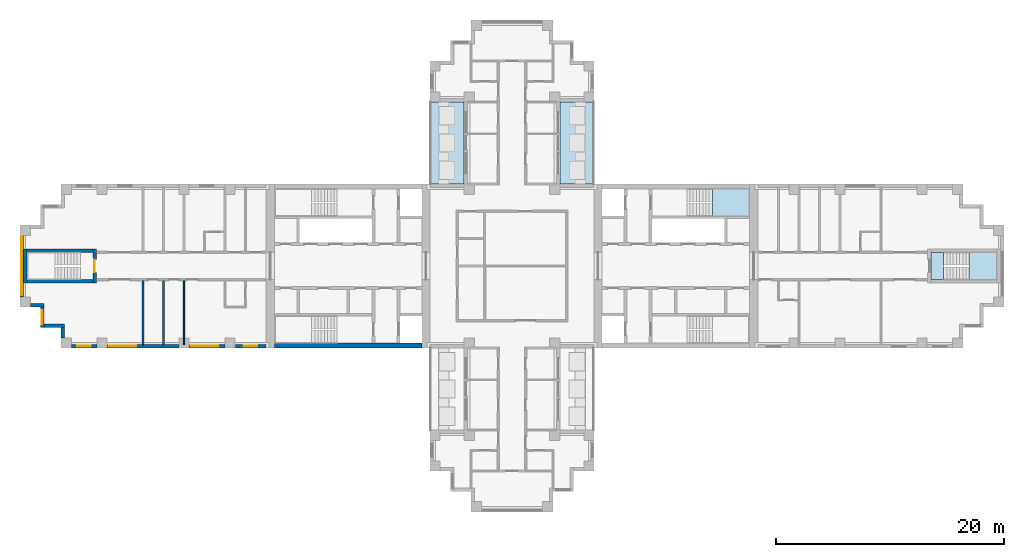
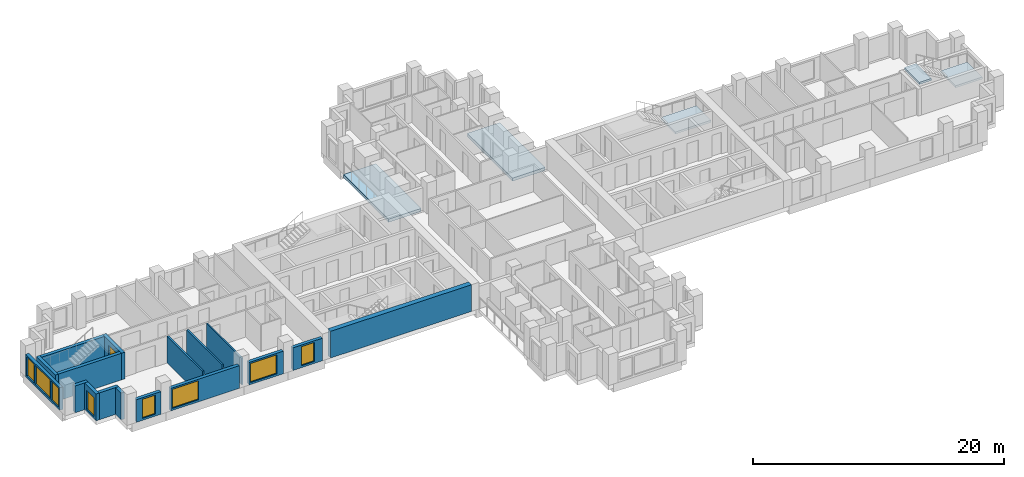
# One storey, part 2 of 12: 17 walls, 8 windows, 5 slabs, 1 door, 9 openings, 2 elements without a shape of their own.
"""IFC4 building model written with IfcOpenShell, lengths in metres."""

from ifc_helpers import new_model, si_unit, direction, frame, frame_2d, origin, place, context, subcontext, project, spatial, polyline, rectangle, outline, extrude, material, layer, layer_set, type_object, element, fill, aggregate, save


model = new_model("IFC4")

# Units and contexts
model_context = context("Model", 3, precision=1e-05, world=origin(), true_north=direction((0.0, 1.0)))
body_context = subcontext(model_context, "Body", "Model", "MODEL_VIEW")
ifc_project = project(units=[si_unit("LENGTHUNIT", "METRE"), si_unit("AREAUNIT", "SQUARE_METRE"), si_unit("VOLUMEUNIT", "CUBIC_METRE"), si_unit("PLANEANGLEUNIT", "RADIAN"), si_unit("MASSUNIT", "GRAM", prefix="KILO")], contexts=[model_context])

# Site, building, storey
site_placement = place(None, origin())
site = spatial("IfcSite", under=ifc_project, at=site_placement, CompositionType="ELEMENT")
building_placement = place(site_placement, origin())
building = spatial("IfcBuilding", under=site, at=building_placement, Name="Fustian Cross Tower", CompositionType="ELEMENT")
storey_placement = place(building_placement, frame((0.0, 0.0, 147.300048828125)))
storey = spatial("IfcBuildingStorey", under=building, at=storey_placement, Name="L46", CompositionType="ELEMENT", Elevation=147.300048828125)

# Slabs
ifc_material_1 = material(Name="Concrete C40/50", Category="concrete")
ifc_layer_1 = layer(ifc_material_1, 0.300048828125)
ifc_layer_set_1 = layer_set([ifc_layer_1], Name="Concrete C40/50")
slab_type_1 = type_object("IfcSlabType", Name="BS1 BALCONY SLAB 300", PredefinedType="FLOOR", material=ifc_layer_set_1)
slab_1_placement = place(storey_placement, frame((0.0, 0.0, -0.300048828125)))
element("IfcSlab", 1, at=slab_1_placement, inside=storey, type_object=slab_type_1, Name="Balcony slab", PredefinedType="FLOOR", context=body_context, shape_type="SweptSolid", body=[
    extrude(outline(polyline([(4.199951171875, 7.199951171875), (7.199951171875, 7.199951171875), (7.199951171875, 14.39990234375), (4.199951171875, 14.39990234375), (4.199951171875, 7.199951171875)])), origin(), (0.0, 0.0, 1.0), 0.300048828125),
])
slab_2_placement = place(storey_placement, frame((0.0, 0.0, -0.300048828125)))
element("IfcSlab", 2, at=slab_2_placement, inside=storey, type_object=slab_type_1, Name="Balcony slab", PredefinedType="FLOOR", context=body_context, shape_type="SweptSolid", body=[
    extrude(outline(polyline([(-7.199951171875, 7.199951171875), (-4.199951171875, 7.199951171875), (-4.199951171875, 14.39990234375), (-7.199951171875, 14.39990234375), (-7.199951171875, 7.199951171875)])), origin(), (0.0, 0.0, 1.0), 0.300048828125),
])

# Stair, slab
ifc_material_2 = material(Name="Concrete C50/60", Category="concrete")
stair_type_1 = type_object("IfcStairType", Name="STAIR 1150 HALF TURN", PredefinedType="HALF_TURN_STAIR", material=ifc_material_2)
stair_1_placement = place(storey_placement, origin())
stair_1 = element("IfcStair", 3, at=stair_1_placement, inside=storey, type_object=stair_type_1, Name="Stair ST1", PredefinedType="HALF_TURN_STAIR")
ifc_material_3 = material(Name="Concrete C50/60", Category="concrete")
ifc_layer_2 = layer(ifc_material_3, 0.199951171875)
ifc_layer_set_2 = layer_set([ifc_layer_2], Name="Concrete C50/60")
slab_type_2 = type_object("IfcSlabType", Name="STAIR LANDING", PredefinedType="LANDING", material=ifc_layer_set_2)
slab_3_placement = place(storey_placement, frame((0.0, 0.0, 1.300048828125)))
slab_3 = element("IfcSlab", 4, at=slab_3_placement, type_object=slab_type_2, Name="ST1 landing 1", PredefinedType="LANDING", context=body_context, shape_type="SweptSolid", body=[
    extrude(outline(polyline([(17.590087890625, 4.39990234375), (20.85009765625, 4.39990234375), (20.85009765625, 6.75), (17.590087890625, 6.75), (17.590087890625, 4.39990234375)])), origin(), (0.0, 0.0, 1.0), 0.199951171875),
])
aggregate(stair_1, [slab_3])

# Stair, slabs
ifc_material_4 = material(Name="Concrete C50/60", Category="concrete")
stair_type_2 = type_object("IfcStairType", Name="STAIR 1100 HALF TURN", PredefinedType="HALF_TURN_STAIR", material=ifc_material_4)
stair_2_placement = place(storey_placement, origin())
stair_2 = element("IfcStair", 5, at=stair_2_placement, inside=storey, type_object=stair_type_2, Name="Stair ST8", PredefinedType="HALF_TURN_STAIR")
slab_4_placement = place(storey_placement, frame((0.0, 0.0, 1.300048828125)))
slab_4 = element("IfcSlab", 6, at=slab_4_placement, type_object=slab_type_2, Name="ST8 landing 1", PredefinedType="LANDING", context=body_context, shape_type="SweptSolid", body=[
    extrude(outline(polyline([(40.139892578125, -1.199951171875), (42.60009765625, -1.199951171875), (42.60009765625, 1.199951171875), (40.139892578125, 1.199951171875), (40.139892578125, -1.199951171875)])), origin(), (0.0, 0.0, 1.0), 0.199951171875),
])
slab_5_placement = place(storey_placement, frame((0.0, 0.0, 2.800048828125)))
slab_5 = element("IfcSlab", 7, at=slab_5_placement, type_object=slab_type_2, Name="ST8 landing 2", PredefinedType="LANDING", context=body_context, shape_type="SweptSolid", body=[
    extrude(outline(polyline([(36.800048828125, -1.199951171875), (37.89990234375, -1.199951171875), (37.89990234375, 1.199951171875), (36.800048828125, 1.199951171875), (36.800048828125, -1.199951171875)])), origin(), (0.0, 0.0, 1.0), 0.199951171875),
])
aggregate(stair_2, [slab_4, slab_5])

# Walls
ifc_material_5 = material(Name="Plasterboard on steel stud", Category="steel")
ifc_layer_3 = layer(ifc_material_5, 0.14990234375)
ifc_layer_set_3 = layer_set([ifc_layer_3], Name="Plasterboard on steel stud")
wall_type_1 = type_object("IfcWallType", Name="COMPARTMENT WALL 150 EI 60", PredefinedType="PARTITIONING", material=ifc_layer_set_3)
for number, where, z_axis, x_axis, name in (
    (8, (-32.39990234375, -6.89990234375, 0.0), (0.0, 0.0, 1.0), (0.0, 1.0, 0.0), "Partition 3"),
    (9, (-30.60009765625, -6.89990234375, 0.0), (0.0, 0.0, 1.0), (0.0, 1.0, 0.0), "Partition 5"),
):
    element("IfcWall", number, at=place(storey_placement, frame(where, z_axis=z_axis, x_axis=x_axis)), inside=storey, type_object=wall_type_1, Name=name, PredefinedType="PARTITIONING", context=body_context, shape_type="SweptSolid", body=[
        extrude(rectangle(XDim=5.625, YDim=0.14990234375, at=frame_2d((2.8125, 0.0))), origin(), (0.0, 0.0, 1.0), 2.599853515625),
    ])
ifc_material_6 = material(Name="Concrete C60/75", Category="concrete")
ifc_layer_4 = layer(ifc_material_6, 0.449951171875)
ifc_layer_set_4 = layer_set([ifc_layer_4], Name="Concrete C60/75")
wall_type_2 = type_object("IfcWallType", Name="CORE FACADE WALL 450 C60/75", PredefinedType="SHEAR", material=ifc_layer_set_4)
wall_1_placement = place(storey_placement, frame((-7.89990234375, -6.97509765625, 0.0), z_axis=(0.0, 0.0, 1.0), x_axis=(-1.0, 0.0, 0.0)))
element("IfcWall", 10, at=wall_1_placement, inside=storey, type_object=wall_type_2, Name="Core facade wall", PredefinedType="SHEAR", context=body_context, shape_type="SweptSolid", body=[
    extrude(rectangle(XDim=12.9501953125, YDim=0.449951171875, at=frame_2d((6.47509765625, 0.0))), origin(), (0.0, 0.0, 1.0), 2.599853515625),
])

# Wall, opening, door
ifc_material_7 = material(Name="Concrete C50/60", Category="concrete")
ifc_layer_5 = layer(ifc_material_7, 0.300048828125)
ifc_layer_set_5 = layer_set([ifc_layer_5], Name="Concrete C50/60")
wall_type_3 = type_object("IfcWallType", Name="STAIR ENCLOSURE WALL 300 C50/60", PredefinedType="SHEAR", material=ifc_layer_set_5)
wall_2_placement = place(storey_placement, frame((-36.64990234375, -1.5, 0.0), z_axis=(0.0, 0.0, 1.0), x_axis=(0.0, 1.0, 0.0)))
wall_2 = element("IfcWall", 11, at=wall_2_placement, inside=storey, type_object=wall_type_3, Name="Stair enclosure wall", PredefinedType="SHEAR", context=body_context, shape_type="SweptSolid", body=[
    extrude(rectangle(XDim=3.0, YDim=0.300048828125, at=frame_2d((1.5, 0.0))), origin(), (0.0, 0.0, 1.0), 2.599853515625),
])
opening_1_placement = place(wall_2_placement, frame((0.949951171875, 0.0, 0.0)))
opening_1 = element("IfcOpeningElement", 12, at=opening_1_placement, cuts=wall_2, Name="Opening CD-16-36", PredefinedType="OPENING", context=body_context, shape_type="SweptSolid", body=[
    extrude(rectangle(XDim=1.10009765625, YDim=2.10009765625, at=frame_2d((0.550048828125, 1.050048828125))), frame((0.0, 0.159912109375, 0.0), z_axis=(0.0, -1.0, 0.0), x_axis=(1.0, 0.0, 0.0)), (0.0, 0.0, 1.0), 0.320068359375),
])
ifc_material_8 = material(Name="Steel", Category="steel")
door_type = type_object("IfcDoorType", Name="FIRE DOOR FD60S 1100X2100", OperationType="SINGLE_SWING_LEFT", PredefinedType="DOOR", material=ifc_material_8)
door_placement = place(opening_1_placement, origin())
door = element("IfcDoor", 13, at=door_placement, inside=storey, type_object=door_type, Name="Core door CD-16-36", OperationType="SINGLE_SWING_LEFT", OverallHeight=2.10009765625, OverallWidth=1.10009765625, PredefinedType="DOOR", context=body_context, shape_type="SweptSolid", body=[
    extrude(rectangle(XDim=1.10009765625, YDim=2.10009765625, at=frame_2d((0.550048828125, 1.050048828125))), frame((0.0, 0.02490234375, 0.0), z_axis=(0.0, -1.0, 0.0), x_axis=(1.0, 0.0, 0.0)), (0.0, 0.0, 1.0), 0.050048828125),
])
fill(opening_1, door)

# Walls
wall_3_placement = place(storey_placement, frame((-42.75, -1.5, 0.0), z_axis=(0.0, 0.0, 1.0), x_axis=(0.0, 1.0, 0.0)))
element("IfcWall", 14, at=wall_3_placement, inside=storey, type_object=wall_type_3, Name="Stair enclosure wall", PredefinedType="SHEAR", context=body_context, shape_type="SweptSolid", body=[
    extrude(rectangle(XDim=3.0, YDim=0.300048828125, at=frame_2d((1.5, 0.0))), origin(), (0.0, 0.0, 1.0), 2.599853515625),
])
for number, where, z_axis, x_axis, name in (
    (15, (-36.800048828125, -1.35009765625, 0.0), (0.0, 0.0, 1.0), (-1.0, 0.0, 0.0), "Stair enclosure wall"),
    (16, (-36.800048828125, 1.35009765625, 0.0), (0.0, 0.0, 1.0), (-1.0, 0.0, 0.0), "Stair enclosure wall"),
):
    element("IfcWall", number, at=place(storey_placement, frame(where, z_axis=z_axis, x_axis=x_axis)), inside=storey, type_object=wall_type_3, Name=name, PredefinedType="SHEAR", context=body_context, shape_type="SweptSolid", body=[
        extrude(rectangle(XDim=5.800048828125, YDim=0.300048828125, at=frame_2d((2.89990234375, 0.0))), origin(), (0.0, 0.0, 1.0), 2.599853515625),
    ])
ifc_material_9 = material(Name="Plasterboard on steel stud", Category="steel")
ifc_layer_6 = layer(ifc_material_9, 0.125)
ifc_layer_set_6 = layer_set([ifc_layer_6], Name="Plasterboard on steel stud")
wall_type_4 = type_object("IfcWallType", Name="WET WALL 125 STUD", PredefinedType="PARTITIONING", material=ifc_layer_set_6)
wall_4_placement = place(storey_placement, frame((-28.800048828125, -6.89990234375, 0.0), z_axis=(0.0, 0.0, 1.0), x_axis=(0.0, 1.0, 0.0)))
element("IfcWall", 17, at=wall_4_placement, inside=storey, type_object=wall_type_4, Name="Partition 7", PredefinedType="PARTITIONING", context=body_context, shape_type="SweptSolid", body=[
    extrude(rectangle(XDim=5.625, YDim=0.125, at=frame_2d((2.8125, 0.0))), origin(), (0.0, 0.0, 1.0), 2.599853515625),
])

# Wall, openings, windows
ifc_material_10 = material(Name="Dark aluminium cladding on insulated backing wall", Category="aluminium")
ifc_layer_7 = layer(ifc_material_10, 0.300048828125)
ifc_layer_set_7 = layer_set([ifc_layer_7], Name="Dark aluminium cladding on insulated backing wall")
wall_type_5 = type_object("IfcWallType", Name="XW1 EXTERNAL WALL 300", PredefinedType="SOLIDWALL", material=ifc_layer_set_7)
wall_5_placement = place(storey_placement, frame((-43.050048828125, 2.699951171875, 0.0), z_axis=(0.0, 0.0, 1.0), x_axis=(0.0, -1.0, 0.0)))
wall_5 = element("IfcWall", 18, at=wall_5_placement, inside=storey, type_object=wall_type_5, Name="External wall", PredefinedType="SOLIDWALL", context=body_context, shape_type="SweptSolid", body=[
    extrude(rectangle(XDim=5.39990234375, YDim=0.300048828125, at=frame_2d((2.699951171875, 0.0))), origin(), (0.0, 0.0, 1.0), 2.199951171875),
])
opening_2_placement = place(wall_5_placement, frame((1.5, 0.0, 0.199951171875)))
opening_2 = element("IfcOpeningElement", 19, at=opening_2_placement, cuts=wall_5, Name="Opening WN1", PredefinedType="OPENING", context=body_context, shape_type="SweptSolid", body=[
    extrude(rectangle(XDim=2.39990234375, YDim=1.85009765625, at=frame_2d((1.199951171875, 0.925048828125))), frame((0.0, 0.159912109375, 0.0), z_axis=(0.0, -1.0, 0.0), x_axis=(1.0, 0.0, 0.0)), (0.0, 0.0, 1.0), 0.320068359375),
])
opening_3_placement = place(wall_5_placement, frame((0.14990234375, 0.0, 0.199951171875)))
opening_3 = element("IfcOpeningElement", 20, at=opening_3_placement, cuts=wall_5, Name="Opening WN3", PredefinedType="OPENING", context=body_context, shape_type="SweptSolid", body=[
    extrude(rectangle(XDim=1.199951171875, YDim=1.85009765625, at=frame_2d((0.60009765625, 0.925048828125))), frame((0.0, 0.159912109375, 0.0), z_axis=(0.0, -1.0, 0.0), x_axis=(1.0, 0.0, 0.0)), (0.0, 0.0, 1.0), 0.320068359375),
])
opening_4_placement = place(wall_5_placement, frame((4.050048828125, 0.0, 0.199951171875)))
opening_4 = element("IfcOpeningElement", 21, at=opening_4_placement, cuts=wall_5, Name="Opening WN3", PredefinedType="OPENING", context=body_context, shape_type="SweptSolid", body=[
    extrude(rectangle(XDim=1.199951171875, YDim=1.85009765625, at=frame_2d((0.60009765625, 0.925048828125))), frame((0.0, 0.159912109375, 0.0), z_axis=(0.0, -1.0, 0.0), x_axis=(1.0, 0.0, 0.0)), (0.0, 0.0, 1.0), 0.320068359375),
])
ifc_material_11 = material(Name="Dark anodised aluminium and double glazing", Category="aluminium")
window_type_1 = type_object("IfcWindowType", Name="WN1 WINDOW 2400X1850", PartitioningType="SINGLE_PANEL", PredefinedType="WINDOW", material=ifc_material_11)
window_1_placement = place(opening_2_placement, origin())
window_1 = element("IfcWindow", 22, at=window_1_placement, inside=storey, type_object=window_type_1, Name="Window", OverallHeight=1.85009765625, OverallWidth=2.39990234375, PartitioningType="SINGLE_PANEL", PredefinedType="WINDOW", context=body_context, shape_type="SweptSolid", body=[
    extrude(rectangle(XDim=2.39990234375, YDim=1.85009765625, at=frame_2d((1.199951171875, 0.925048828125))), frame((0.0, 0.030029296875, 0.0), z_axis=(0.0, -1.0, 0.0), x_axis=(1.0, 0.0, 0.0)), (0.0, 0.0, 1.0), 0.06005859375),
])
fill(opening_2, window_1)
ifc_material_12 = material(Name="Dark anodised aluminium and double glazing", Category="aluminium")
window_type_2 = type_object("IfcWindowType", Name="WN3 WINDOW 1200X1850", PartitioningType="SINGLE_PANEL", PredefinedType="WINDOW", material=ifc_material_12)
window_2_placement = place(opening_3_placement, origin())
window_2 = element("IfcWindow", 23, at=window_2_placement, inside=storey, type_object=window_type_2, Name="Window", OverallHeight=1.85009765625, OverallWidth=1.199951171875, PartitioningType="SINGLE_PANEL", PredefinedType="WINDOW", context=body_context, shape_type="SweptSolid", body=[
    extrude(rectangle(XDim=1.199951171875, YDim=1.85009765625, at=frame_2d((0.60009765625, 0.925048828125))), frame((0.0, 0.030029296875, 0.0), z_axis=(0.0, -1.0, 0.0), x_axis=(1.0, 0.0, 0.0)), (0.0, 0.0, 1.0), 0.06005859375),
])
fill(opening_3, window_2)
window_3_placement = place(opening_4_placement, origin())
window_3 = element("IfcWindow", 24, at=window_3_placement, inside=storey, type_object=window_type_2, Name="Window", OverallHeight=1.85009765625, OverallWidth=1.199951171875, PartitioningType="SINGLE_PANEL", PredefinedType="WINDOW", context=body_context, shape_type="SweptSolid", body=[
    extrude(rectangle(XDim=1.199951171875, YDim=1.85009765625, at=frame_2d((0.60009765625, 0.925048828125))), frame((0.0, 0.030029296875, 0.0), z_axis=(0.0, -1.0, 0.0), x_axis=(1.0, 0.0, 0.0)), (0.0, 0.0, 1.0), 0.06005859375),
])
fill(opening_4, window_3)

# Wall
wall_6_placement = place(storey_placement, frame((-42.300048828125, -3.449951171875, 0.0), z_axis=(0.0, 0.0, 1.0), x_axis=(1.0, 0.0, 0.0)))
element("IfcWall", 25, at=wall_6_placement, inside=storey, type_object=wall_type_5, Name="External wall", PredefinedType="SOLIDWALL", context=body_context, shape_type="SweptSolid", body=[
    extrude(rectangle(XDim=1.199951171875, YDim=0.300048828125, at=frame_2d((0.60009765625, 0.0))), origin(), (0.0, 0.0, 1.0), 2.599853515625),
])

# Wall, opening, window
wall_7_placement = place(storey_placement, frame((-41.25, -3.60009765625, 0.0), z_axis=(0.0, 0.0, 1.0), x_axis=(0.0, -1.0, 0.0)))
wall_7 = element("IfcWall", 26, at=wall_7_placement, inside=storey, type_object=wall_type_5, Name="External wall", PredefinedType="SOLIDWALL", context=body_context, shape_type="SweptSolid", body=[
    extrude(rectangle(XDim=1.7998046875, YDim=0.300048828125, at=frame_2d((0.89990234375, 0.0))), origin(), (0.0, 0.0, 1.0), 2.599853515625),
])
opening_5_placement = place(wall_7_placement, frame((0.300048828125, 0.0, 0.199951171875)))
opening_5 = element("IfcOpeningElement", 27, at=opening_5_placement, cuts=wall_7, Name="Opening WN3", PredefinedType="OPENING", context=body_context, shape_type="SweptSolid", body=[
    extrude(rectangle(XDim=1.199951171875, YDim=1.85009765625, at=frame_2d((0.60009765625, 0.925048828125))), frame((0.0, 0.159912109375, 0.0), z_axis=(0.0, -1.0, 0.0), x_axis=(1.0, 0.0, 0.0)), (0.0, 0.0, 1.0), 0.320068359375),
])
window_4_placement = place(opening_5_placement, origin())
window_4 = element("IfcWindow", 28, at=window_4_placement, inside=storey, type_object=window_type_2, Name="Window", OverallHeight=1.85009765625, OverallWidth=1.199951171875, PartitioningType="SINGLE_PANEL", PredefinedType="WINDOW", context=body_context, shape_type="SweptSolid", body=[
    extrude(rectangle(XDim=1.199951171875, YDim=1.85009765625, at=frame_2d((0.60009765625, 0.925048828125))), frame((0.0, 0.030029296875, 0.0), z_axis=(0.0, -1.0, 0.0), x_axis=(1.0, 0.0, 0.0)), (0.0, 0.0, 1.0), 0.06005859375),
])
fill(opening_5, window_4)

# Walls
wall_8_placement = place(storey_placement, frame((-41.10009765625, -5.25, 0.0), z_axis=(0.0, 0.0, 1.0), x_axis=(1.0, 0.0, 0.0)))
element("IfcWall", 29, at=wall_8_placement, inside=storey, type_object=wall_type_5, Name="External wall", PredefinedType="SOLIDWALL", context=body_context, shape_type="SweptSolid", body=[
    extrude(rectangle(XDim=1.800048828125, YDim=0.300048828125, at=frame_2d((0.89990234375, 0.0))), origin(), (0.0, 0.0, 1.0), 2.599853515625),
])
wall_9_placement = place(storey_placement, frame((-39.449951171875, -5.39990234375, 0.0), z_axis=(0.0, 0.0, 1.0), x_axis=(0.0, -1.0, 0.0)))
element("IfcWall", 30, at=wall_9_placement, inside=storey, type_object=wall_type_5, Name="External wall", PredefinedType="SOLIDWALL", context=body_context, shape_type="SweptSolid", body=[
    extrude(rectangle(XDim=0.900146484375, YDim=0.300048828125, at=frame_2d((0.4501953125, 0.0))), origin(), (0.0, 0.0, 1.0), 2.599853515625),
])

# Wall, opening, window
wall_10_placement = place(storey_placement, frame((-38.699951171875, -7.050048828125, 0.0), z_axis=(0.0, 0.0, 1.0), x_axis=(1.0, 0.0, 0.0)))
wall_10 = element("IfcWall", 31, at=wall_10_placement, inside=storey, type_object=wall_type_5, Name="External wall", PredefinedType="SOLIDWALL", context=body_context, shape_type="SweptSolid", body=[
    extrude(rectangle(XDim=2.25, YDim=0.300048828125, at=frame_2d((1.125, 0.0))), origin(), (0.0, 0.0, 1.0), 2.199951171875),
])
opening_6_placement = place(wall_10_placement, frame((0.52490234375, 0.0, 0.199951171875)))
opening_6 = element("IfcOpeningElement", 32, at=opening_6_placement, cuts=wall_10, Name="Opening WN3", PredefinedType="OPENING", context=body_context, shape_type="SweptSolid", body=[
    extrude(rectangle(XDim=1.199951171875, YDim=1.85009765625, at=frame_2d((0.60009765625, 0.925048828125))), frame((0.0, 0.159912109375, 0.0), z_axis=(0.0, -1.0, 0.0), x_axis=(1.0, 0.0, 0.0)), (0.0, 0.0, 1.0), 0.320068359375),
])
window_5_placement = place(opening_6_placement, origin())
window_5 = element("IfcWindow", 33, at=window_5_placement, inside=storey, type_object=window_type_2, Name="Window", OverallHeight=1.85009765625, OverallWidth=1.199951171875, PartitioningType="SINGLE_PANEL", PredefinedType="WINDOW", context=body_context, shape_type="SweptSolid", body=[
    extrude(rectangle(XDim=1.199951171875, YDim=1.85009765625, at=frame_2d((0.60009765625, 0.925048828125))), frame((0.0, 0.030029296875, 0.0), z_axis=(0.0, -1.0, 0.0), x_axis=(1.0, 0.0, 0.0)), (0.0, 0.0, 1.0), 0.06005859375),
])
fill(opening_6, window_5)

wall_11_placement = place(storey_placement, frame((-35.550048828125, -7.050048828125, 0.0), z_axis=(0.0, 0.0, 1.0), x_axis=(1.0, 0.0, 0.0)))
wall_11 = element("IfcWall", 34, at=wall_11_placement, inside=storey, type_object=wall_type_5, Name="External wall", PredefinedType="SOLIDWALL", context=body_context, shape_type="SweptSolid", body=[
    extrude(rectangle(XDim=6.300048828125, YDim=0.300048828125, at=frame_2d((3.14990234375, 0.0))), origin(), (0.0, 0.0, 1.0), 2.199951171875),
])
opening_7_placement = place(wall_11_placement, frame((0.14990234375, 0.0, 0.199951171875)))
opening_7 = element("IfcOpeningElement", 35, at=opening_7_placement, cuts=wall_11, Name="Opening WN1", PredefinedType="OPENING", context=body_context, shape_type="SweptSolid", body=[
    extrude(rectangle(XDim=2.39990234375, YDim=1.85009765625, at=frame_2d((1.199951171875, 0.925048828125))), frame((0.0, 0.159912109375, 0.0), z_axis=(0.0, -1.0, 0.0), x_axis=(1.0, 0.0, 0.0)), (0.0, 0.0, 1.0), 0.320068359375),
])
window_6_placement = place(opening_7_placement, origin())
window_6 = element("IfcWindow", 36, at=window_6_placement, inside=storey, type_object=window_type_1, Name="Window", OverallHeight=1.85009765625, OverallWidth=2.39990234375, PartitioningType="SINGLE_PANEL", PredefinedType="WINDOW", context=body_context, shape_type="SweptSolid", body=[
    extrude(rectangle(XDim=2.39990234375, YDim=1.85009765625, at=frame_2d((1.199951171875, 0.925048828125))), frame((0.0, 0.030029296875, 0.0), z_axis=(0.0, -1.0, 0.0), x_axis=(1.0, 0.0, 0.0)), (0.0, 0.0, 1.0), 0.06005859375),
])
fill(opening_7, window_6)

wall_12_placement = place(storey_placement, frame((-28.35009765625, -7.050048828125, 0.0), z_axis=(0.0, 0.0, 1.0), x_axis=(1.0, 0.0, 0.0)))
wall_12 = element("IfcWall", 37, at=wall_12_placement, inside=storey, type_object=wall_type_5, Name="External wall", PredefinedType="SOLIDWALL", context=body_context, shape_type="SweptSolid", body=[
    extrude(rectangle(XDim=3.150146484375, YDim=0.300048828125, at=frame_2d((1.5751953125, 0.0))), origin(), (0.0, 0.0, 1.0), 2.199951171875),
])
opening_8_placement = place(wall_12_placement, frame((0.14990234375, 0.0, 0.199951171875)))
opening_8 = element("IfcOpeningElement", 38, at=opening_8_placement, cuts=wall_12, Name="Opening WN1", PredefinedType="OPENING", context=body_context, shape_type="SweptSolid", body=[
    extrude(rectangle(XDim=2.39990234375, YDim=1.85009765625, at=frame_2d((1.199951171875, 0.925048828125))), frame((0.0, 0.159912109375, 0.0), z_axis=(0.0, -1.0, 0.0), x_axis=(1.0, 0.0, 0.0)), (0.0, 0.0, 1.0), 0.320068359375),
])
window_7_placement = place(opening_8_placement, origin())
window_7 = element("IfcWindow", 39, at=window_7_placement, inside=storey, type_object=window_type_1, Name="Window", OverallHeight=1.85009765625, OverallWidth=2.39990234375, PartitioningType="SINGLE_PANEL", PredefinedType="WINDOW", context=body_context, shape_type="SweptSolid", body=[
    extrude(rectangle(XDim=2.39990234375, YDim=1.85009765625, at=frame_2d((1.199951171875, 0.925048828125))), frame((0.0, 0.030029296875, 0.0), z_axis=(0.0, -1.0, 0.0), x_axis=(1.0, 0.0, 0.0)), (0.0, 0.0, 1.0), 0.06005859375),
])
fill(opening_8, window_7)

wall_13_placement = place(storey_placement, frame((-24.300048828125, -7.050048828125, 0.0), z_axis=(0.0, 0.0, 1.0), x_axis=(1.0, 0.0, 0.0)))
wall_13 = element("IfcWall", 40, at=wall_13_placement, inside=storey, type_object=wall_type_5, Name="External wall", PredefinedType="SOLIDWALL", context=body_context, shape_type="SweptSolid", body=[
    extrude(rectangle(XDim=2.699951171875, YDim=0.300048828125, at=frame_2d((1.35009765625, 0.0))), origin(), (0.0, 0.0, 1.0), 2.199951171875),
])
opening_9_placement = place(wall_13_placement, frame((0.75, 0.0, 0.199951171875)))
opening_9 = element("IfcOpeningElement", 41, at=opening_9_placement, cuts=wall_13, Name="Opening WN3", PredefinedType="OPENING", context=body_context, shape_type="SweptSolid", body=[
    extrude(rectangle(XDim=1.199951171875, YDim=1.85009765625, at=frame_2d((0.60009765625, 0.925048828125))), frame((0.0, 0.159912109375, 0.0), z_axis=(0.0, -1.0, 0.0), x_axis=(1.0, 0.0, 0.0)), (0.0, 0.0, 1.0), 0.320068359375),
])
window_8_placement = place(opening_9_placement, origin())
window_8 = element("IfcWindow", 42, at=window_8_placement, inside=storey, type_object=window_type_2, Name="Window", OverallHeight=1.85009765625, OverallWidth=1.199951171875, PartitioningType="SINGLE_PANEL", PredefinedType="WINDOW", context=body_context, shape_type="SweptSolid", body=[
    extrude(rectangle(XDim=1.199951171875, YDim=1.85009765625, at=frame_2d((0.60009765625, 0.925048828125))), frame((0.0, 0.030029296875, 0.0), z_axis=(0.0, -1.0, 0.0), x_axis=(1.0, 0.0, 0.0)), (0.0, 0.0, 1.0), 0.06005859375),
])
fill(opening_9, window_8)

save(model, "model.ifc")
